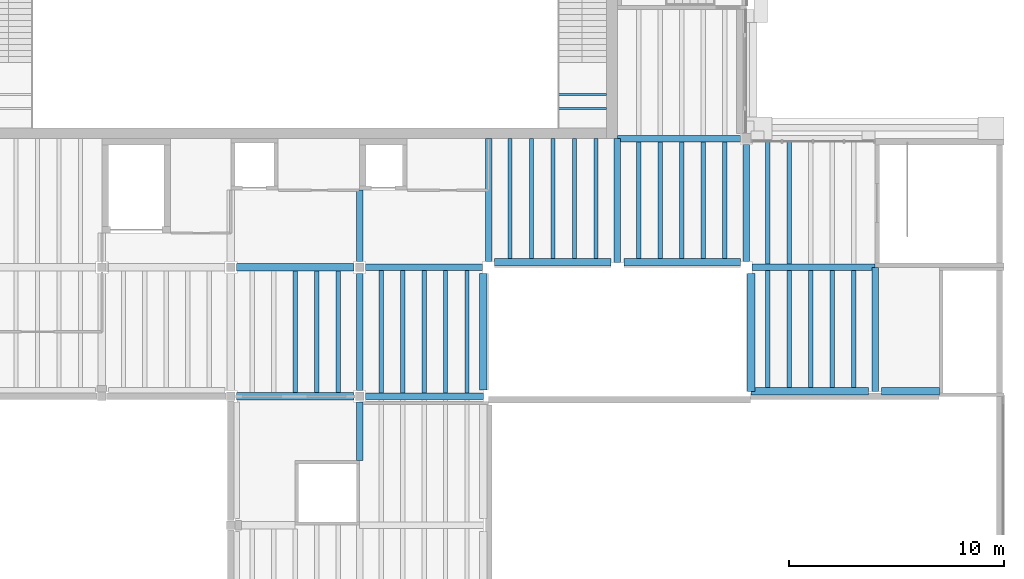
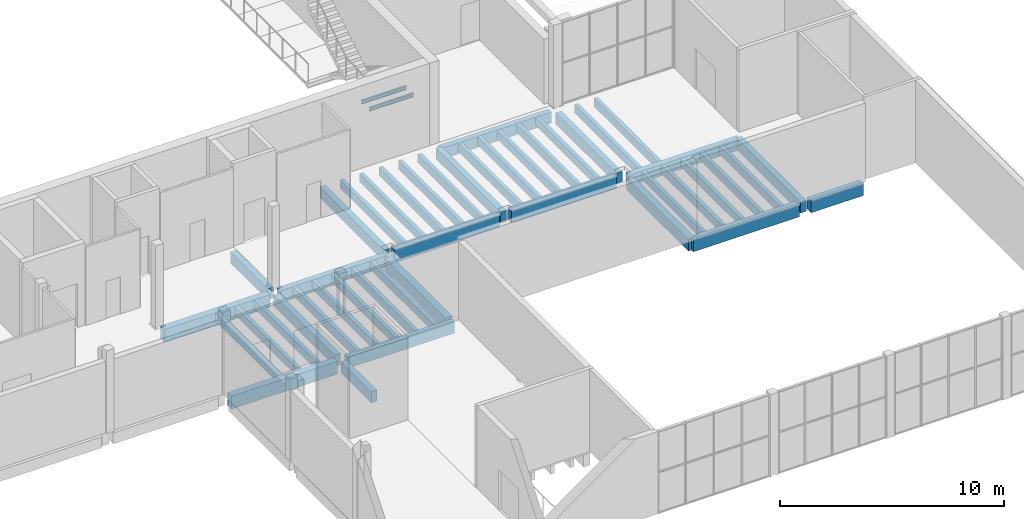
# One storey, part 8 of 70: 46 beams.
"""IFC4 building model written with IfcOpenShell, lengths in metres."""

from ifc_helpers import new_model, si_unit, direction, frame, origin, origin_2d, place, context, subcontext, project, spatial, rectangle, i_section, extrude, material, material_profile, profile_set, type_object, element, save


model = new_model("IFC4")

# Units and contexts
model_context = context("Model", 3, precision=1e-05, world=origin(), true_north=direction((0.0, 1.0)))
body_context = subcontext(model_context, "Body", "Model", "MODEL_VIEW")
ifc_project = project(units=[si_unit("LENGTHUNIT", "METRE"), si_unit("AREAUNIT", "SQUARE_METRE"), si_unit("VOLUMEUNIT", "CUBIC_METRE"), si_unit("PLANEANGLEUNIT", "RADIAN"), si_unit("MASSUNIT", "GRAM", prefix="KILO")], contexts=[model_context])

# Site, building, storey
site_placement = place(None, origin())
site = spatial("IfcSite", under=ifc_project, at=site_placement, CompositionType="ELEMENT")
building_placement = place(site_placement, origin())
building = spatial("IfcBuilding", under=site, at=building_placement, Name="Saffron Lane Theatres", CompositionType="ELEMENT")
storey_placement = place(building_placement, frame((0.0, 0.0, 12.0)))
storey = spatial("IfcBuildingStorey", under=building, at=storey_placement, Name="L02", CompositionType="ELEMENT", Elevation=12.0)

# Beams
ifc_material_1 = material(Name="Concrete N40 (40 MPa)", Category="concrete")
ifc_material_profile_1 = material_profile(ifc_material_1, rectangle(XDim=0.300048828125, YDim=0.60009765625, at=origin_2d()))
ifc_profile_set_1 = profile_set([ifc_material_profile_1], Name="Concrete N40 (40 MPa)")
beam_type_1 = type_object("IfcBeamType", Name="RC-BEAM 300x600", PredefinedType="BEAM", material=ifc_profile_set_1)
beam_1_placement = place(storey_placement, frame((36.27490234375, 18.0, -0.550048828125), z_axis=(1.0, 0.0, 0.0), x_axis=(0.0, 1.0, 0.0)))
element("IfcBeam", 1, at=beam_1_placement, inside=storey, type_object=beam_type_1, Name="beam-L02-x180-363", PredefinedType="BEAM", context=body_context, shape_type="SweptSolid", body=[
    extrude(rectangle(XDim=0.300048828125, YDim=0.60009765625, at=origin_2d()), origin(), (0.0, 0.0, 1.0), 5.5),
])
beam_2_placement = place(storey_placement, frame((36.27490234375, 24.0, -0.550048828125), z_axis=(1.0, 0.0, 0.0), x_axis=(0.0, 1.0, 0.0)))
element("IfcBeam", 2, at=beam_2_placement, inside=storey, type_object=beam_type_1, Name="beam-L02-x240-363", PredefinedType="BEAM", context=body_context, shape_type="SweptSolid", body=[
    extrude(rectangle(XDim=0.300048828125, YDim=0.60009765625, at=origin_2d()), origin(), (0.0, 0.0, 1.0), 5.4501953125),
])
for number, where, z_axis, x_axis, name in (
    (3, (54.27490234375, 24.0, -0.550048828125), (1.0, 0.0, 0.0), (0.0, 1.0, 0.0), "beam-L02-x240-543"),
    (4, (48.0, 30.0, -0.550048828125), (1.0, 0.0, 0.0), (0.0, 1.0, 0.0), "beam-L02-x300-480"),
):
    element("IfcBeam", number, at=place(storey_placement, frame(where, z_axis=z_axis, x_axis=x_axis)), inside=storey, type_object=beam_type_1, Name=name, PredefinedType="BEAM", context=body_context, shape_type="SweptSolid", body=[
        extrude(rectangle(XDim=0.300048828125, YDim=0.60009765625, at=origin_2d()), origin(), (0.0, 0.0, 1.0), 5.72509765625),
    ])
beam_3_placement = place(storey_placement, frame((36.0, 15.0, -0.550048828125), z_axis=(0.0, 1.0, 0.0), x_axis=(-1.0, 0.0, 0.0)))
element("IfcBeam", 5, at=beam_3_placement, inside=storey, type_object=beam_type_1, Name="beam-L02-y360-150", PredefinedType="BEAM", context=body_context, shape_type="SweptSolid", body=[
    extrude(rectangle(XDim=0.300048828125, YDim=0.60009765625, at=origin_2d()), origin(), (0.0, 0.0, 1.0), 2.72509765625),
])
beam_4_placement = place(storey_placement, frame((36.0, 18.27490234375, -0.550048828125), z_axis=(0.0, 1.0, 0.0), x_axis=(-1.0, 0.0, 0.0)))
element("IfcBeam", 6, at=beam_4_placement, inside=storey, type_object=beam_type_1, Name="beam-L02-y360-183", PredefinedType="BEAM", context=body_context, shape_type="SweptSolid", body=[
    extrude(rectangle(XDim=0.300048828125, YDim=0.60009765625, at=origin_2d()), origin(), (0.0, 0.0, 1.0), 5.4501953125),
])
beam_5_placement = place(storey_placement, frame((36.0, 24.27490234375, -0.550048828125), z_axis=(0.0, 1.0, 0.0), x_axis=(-1.0, 0.0, 0.0)))
element("IfcBeam", 7, at=beam_5_placement, inside=storey, type_object=beam_type_1, Name="beam-L02-y360-243", PredefinedType="BEAM", context=body_context, shape_type="SweptSolid", body=[
    extrude(rectangle(XDim=0.300048828125, YDim=0.60009765625, at=origin_2d()), origin(), (0.0, 0.0, 1.0), 3.3251953125),
])
beam_6_placement = place(storey_placement, frame((42.0, 24.27490234375, -0.550048828125), z_axis=(0.0, 1.0, 0.0), x_axis=(-1.0, 0.0, 0.0)))
element("IfcBeam", 8, at=beam_6_placement, inside=storey, type_object=beam_type_1, Name="beam-L02-y420-243", PredefinedType="BEAM", context=body_context, shape_type="SweptSolid", body=[
    extrude(rectangle(XDim=0.300048828125, YDim=0.60009765625, at=origin_2d()), origin(), (0.0, 0.0, 1.0), 5.72509765625),
])
beam_7_placement = place(storey_placement, frame((48.0, 24.22509765625, -0.550048828125), z_axis=(0.0, 1.0, 0.0), x_axis=(-1.0, 0.0, 0.0)))
element("IfcBeam", 9, at=beam_7_placement, inside=storey, type_object=beam_type_1, Name="beam-L02-y480-242", PredefinedType="BEAM", context=body_context, shape_type="SweptSolid", body=[
    extrude(rectangle(XDim=0.300048828125, YDim=0.60009765625, at=origin_2d()), origin(), (0.0, 0.0, 1.0), 5.77490234375),
])
beam_8_placement = place(storey_placement, frame((54.0, 24.27490234375, -0.550048828125), z_axis=(0.0, 1.0, 0.0), x_axis=(-1.0, 0.0, 0.0)))
element("IfcBeam", 10, at=beam_8_placement, inside=storey, type_object=beam_type_1, Name="beam-L02-y540-243", PredefinedType="BEAM", context=body_context, shape_type="SweptSolid", body=[
    extrude(rectangle(XDim=0.300048828125, YDim=0.60009765625, at=origin_2d()), origin(), (0.0, 0.0, 1.0), 5.4501953125),
])
beam_9_placement = place(storey_placement, frame((60.0, 18.22509765625, -0.550048828125), z_axis=(0.0, 1.0, 0.0), x_axis=(-1.0, 0.0, 0.0)))
element("IfcBeam", 11, at=beam_9_placement, inside=storey, type_object=beam_type_1, Name="beam-L02-y600-182", PredefinedType="BEAM", context=body_context, shape_type="SweptSolid", body=[
    extrude(rectangle(XDim=0.300048828125, YDim=0.60009765625, at=origin_2d()), origin(), (0.0, 0.0, 1.0), 5.77490234375),
])
ifc_material_2 = material(Name="Concrete N40 (40 MPa)", Category="concrete")
ifc_material_profile_2 = material_profile(ifc_material_2, rectangle(XDim=0.35009765625, YDim=0.64990234375, at=origin_2d()))
ifc_profile_set_2 = profile_set([ifc_material_profile_2], Name="Concrete N40 (40 MPa)")
beam_type_2 = type_object("IfcBeamType", Name="RC-BEAM 350x650", PredefinedType="BEAM", material=ifc_profile_set_2)
beam_10_placement = place(storey_placement, frame((54.22509765625, 18.235107421875, -0.574951171875), z_axis=(1.0, 0.0, 0.0), x_axis=(0.0, 1.0, 0.0)))
element("IfcBeam", 12, at=beam_10_placement, inside=storey, type_object=beam_type_2, Name="beam-L02-x180-542", PredefinedType="BEAM", context=body_context, shape_type="SweptSolid", body=[
    extrude(rectangle(XDim=0.35009765625, YDim=0.64990234375, at=origin_2d()), origin(), (0.0, 0.0, 1.0), 5.474853515625),
])
beam_11_placement = place(storey_placement, frame((60.300048828125, 18.235107421875, -0.574951171875), z_axis=(1.0, 0.0, 0.0), x_axis=(0.0, 1.0, 0.0)))
element("IfcBeam", 13, at=beam_11_placement, inside=storey, type_object=beam_type_2, Name="beam-L02-x180-603", PredefinedType="BEAM", context=body_context, shape_type="SweptSolid", body=[
    extrude(rectangle(XDim=0.35009765625, YDim=0.64990234375, at=origin_2d()), origin(), (0.0, 0.0, 1.0), 2.699951171875),
])
for number, where, z_axis, x_axis, name in (
    (14, (42.27490234375, 24.235107421875, -0.574951171875), (1.0, 0.0, 0.0), (0.0, 1.0, 0.0), "beam-L02-x240-423"),
    (15, (48.300048828125, 24.235107421875, -0.574951171875), (1.0, 0.0, 0.0), (0.0, 1.0, 0.0), "beam-L02-x240-483"),
    (16, (41.764892578125, 18.300048828125, -0.574951171875), (0.0, 1.0, 0.0), (-1.0, 0.0, 0.0), "beam-L02-y420-183"),
):
    element("IfcBeam", number, at=place(storey_placement, frame(where, z_axis=z_axis, x_axis=x_axis)), inside=storey, type_object=beam_type_2, Name=name, PredefinedType="BEAM", context=body_context, shape_type="SweptSolid", body=[
        extrude(rectangle(XDim=0.35009765625, YDim=0.64990234375, at=origin_2d()), origin(), (0.0, 0.0, 1.0), 5.425048828125),
    ])
beam_12_placement = place(storey_placement, frame((54.235107421875, 18.22509765625, -0.574951171875), z_axis=(0.0, 1.0, 0.0), x_axis=(-1.0, 0.0, 0.0)))
element("IfcBeam", 17, at=beam_12_placement, inside=storey, type_object=beam_type_2, Name="beam-L02-y540-182", PredefinedType="BEAM", context=body_context, shape_type="SweptSolid", body=[
    extrude(rectangle(XDim=0.35009765625, YDim=0.64990234375, at=origin_2d()), origin(), (0.0, 0.0, 1.0), 5.5),
])
ifc_material_3 = material(Name="Concrete N40 (40 MPa)", Category="concrete")
ifc_material_profile_3 = material_profile(ifc_material_3, rectangle(XDim=0.35009765625, YDim=0.699951171875, at=origin_2d()))
ifc_profile_set_3 = profile_set([ifc_material_profile_3], Name="Concrete N40 (40 MPa)")
beam_type_3 = type_object("IfcBeamType", Name="RC-BEAM 350x700", PredefinedType="BEAM", material=ifc_profile_set_3)
for number, where, z_axis, x_axis, name in (
    (18, (30.27490234375, 18.0, -0.60009765625), (1.0, 0.0, 0.0), (0.0, 1.0, 0.0), "beam-L02-x180-303"),
    (19, (30.27490234375, 24.0, -0.60009765625), (1.0, 0.0, 0.0), (0.0, 1.0, 0.0), "beam-L02-x240-303"),
):
    element("IfcBeam", number, at=place(storey_placement, frame(where, z_axis=z_axis, x_axis=x_axis)), inside=storey, type_object=beam_type_3, Name=name, PredefinedType="BEAM", context=body_context, shape_type="SweptSolid", body=[
        extrude(rectangle(XDim=0.35009765625, YDim=0.699951171875, at=origin_2d()), origin(), (0.0, 0.0, 1.0), 5.4501953125),
    ])
ifc_material_4 = material(Name="Concrete N40 (40 MPa)", Category="concrete")
ifc_material_profile_4 = material_profile(ifc_material_4, rectangle(XDim=0.199951171875, YDim=0.449951171875, at=origin_2d()))
ifc_profile_set_4 = profile_set([ifc_material_profile_4], Name="Concrete N40 (40 MPa)")
beam_type_4 = type_object("IfcBeamType", Name="RC-JOIST 200x450", PredefinedType="JOIST", material=ifc_profile_set_4)
for number, where, z_axis, x_axis, name in (
    (20, (33.0, 18.175048828125, -0.47509765625), (0.0, 1.0, 0.0), (-1.0, 0.0, 0.0), "joist-L02-y3300-182"),
    (21, (34.0, 18.175048828125, -0.47509765625), (0.0, 1.0, 0.0), (-1.0, 0.0, 0.0), "joist-L02-y3400-182"),
    (22, (35.0, 18.175048828125, -0.47509765625), (0.0, 1.0, 0.0), (-1.0, 0.0, 0.0), "joist-L02-y3500-182"),
):
    element("IfcBeam", number, at=place(storey_placement, frame(where, z_axis=z_axis, x_axis=x_axis)), inside=storey, type_object=beam_type_4, Name=name, PredefinedType="JOIST", context=body_context, shape_type="SweptSolid", body=[
        extrude(rectangle(XDim=0.199951171875, YDim=0.449951171875, at=origin_2d()), origin(), (0.0, 0.0, 1.0), 5.64990234375),
    ])
for number, where, z_axis, x_axis, name in (
    (23, (37.0, 18.14990234375, -0.47509765625), (0.0, 1.0, 0.0), (-1.0, 0.0, 0.0), "joist-L02-y3700-182"),
    (24, (38.0, 18.14990234375, -0.47509765625), (0.0, 1.0, 0.0), (-1.0, 0.0, 0.0), "joist-L02-y3800-182"),
    (25, (39.0, 18.14990234375, -0.47509765625), (0.0, 1.0, 0.0), (-1.0, 0.0, 0.0), "joist-L02-y3900-182"),
    (26, (40.0, 18.14990234375, -0.47509765625), (0.0, 1.0, 0.0), (-1.0, 0.0, 0.0), "joist-L02-y4000-182"),
    (27, (41.0, 18.14990234375, -0.47509765625), (0.0, 1.0, 0.0), (-1.0, 0.0, 0.0), "joist-L02-y4100-182"),
):
    element("IfcBeam", number, at=place(storey_placement, frame(where, z_axis=z_axis, x_axis=x_axis)), inside=storey, type_object=beam_type_4, Name=name, PredefinedType="JOIST", context=body_context, shape_type="SweptSolid", body=[
        extrude(rectangle(XDim=0.199951171875, YDim=0.449951171875, at=origin_2d()), origin(), (0.0, 0.0, 1.0), 5.7001953125),
    ])
for number, where, z_axis, x_axis, name in (
    (28, (43.0, 24.409912109375, -0.47509765625), (0.0, 1.0, 0.0), (-1.0, 0.0, 0.0), "joist-L02-y4300-244"),
    (29, (44.0, 24.409912109375, -0.47509765625), (0.0, 1.0, 0.0), (-1.0, 0.0, 0.0), "joist-L02-y4400-244"),
    (30, (45.0, 24.409912109375, -0.47509765625), (0.0, 1.0, 0.0), (-1.0, 0.0, 0.0), "joist-L02-y4500-244"),
    (31, (46.0, 24.409912109375, -0.47509765625), (0.0, 1.0, 0.0), (-1.0, 0.0, 0.0), "joist-L02-y4600-244"),
    (32, (47.0, 24.409912109375, -0.47509765625), (0.0, 1.0, 0.0), (-1.0, 0.0, 0.0), "joist-L02-y4700-244"),
):
    element("IfcBeam", number, at=place(storey_placement, frame(where, z_axis=z_axis, x_axis=x_axis)), inside=storey, type_object=beam_type_4, Name=name, PredefinedType="JOIST", context=body_context, shape_type="SweptSolid", body=[
        extrude(rectangle(XDim=0.199951171875, YDim=0.449951171875, at=origin_2d()), origin(), (0.0, 0.0, 1.0), 5.590087890625),
    ])
for number, where, z_axis, x_axis, name in (
    (33, (49.0, 24.409912109375, -0.47509765625), (0.0, 1.0, 0.0), (-1.0, 0.0, 0.0), "joist-L02-y4900-244"),
    (34, (50.0, 24.409912109375, -0.47509765625), (0.0, 1.0, 0.0), (-1.0, 0.0, 0.0), "joist-L02-y5000-244"),
    (35, (51.0, 24.409912109375, -0.47509765625), (0.0, 1.0, 0.0), (-1.0, 0.0, 0.0), "joist-L02-y5100-244"),
    (36, (52.0, 24.409912109375, -0.47509765625), (0.0, 1.0, 0.0), (-1.0, 0.0, 0.0), "joist-L02-y5200-244"),
    (37, (53.0, 24.409912109375, -0.47509765625), (0.0, 1.0, 0.0), (-1.0, 0.0, 0.0), "joist-L02-y5300-244"),
    (38, (55.0, 18.409912109375, -0.47509765625), (0.0, 1.0, 0.0), (-1.0, 0.0, 0.0), "joist-L02-y5500-184"),
    (39, (56.0, 18.409912109375, -0.47509765625), (0.0, 1.0, 0.0), (-1.0, 0.0, 0.0), "joist-L02-y5600-184"),
    (40, (57.0, 18.409912109375, -0.47509765625), (0.0, 1.0, 0.0), (-1.0, 0.0, 0.0), "joist-L02-y5700-184"),
    (41, (58.0, 18.409912109375, -0.47509765625), (0.0, 1.0, 0.0), (-1.0, 0.0, 0.0), "joist-L02-y5800-184"),
    (42, (59.0, 18.409912109375, -0.47509765625), (0.0, 1.0, 0.0), (-1.0, 0.0, 0.0), "joist-L02-y5900-184"),
):
    element("IfcBeam", number, at=place(storey_placement, frame(where, z_axis=z_axis, x_axis=x_axis)), inside=storey, type_object=beam_type_4, Name=name, PredefinedType="JOIST", context=body_context, shape_type="SweptSolid", body=[
        extrude(rectangle(XDim=0.199951171875, YDim=0.449951171875, at=origin_2d()), origin(), (0.0, 0.0, 1.0), 5.440185546875),
    ])
for number, where, z_axis, x_axis, name in (
    (43, (55.0, 24.14990234375, -0.47509765625), (0.0, 1.0, 0.0), (-1.0, 0.0, 0.0), "joist-L02-y5500-242"),
    (44, (56.0, 24.14990234375, -0.47509765625), (0.0, 1.0, 0.0), (-1.0, 0.0, 0.0), "joist-L02-y5600-242"),
):
    element("IfcBeam", number, at=place(storey_placement, frame(where, z_axis=z_axis, x_axis=x_axis)), inside=storey, type_object=beam_type_4, Name=name, PredefinedType="JOIST", context=body_context, shape_type="SweptSolid", body=[
        extrude(rectangle(XDim=0.199951171875, YDim=0.449951171875, at=origin_2d()), origin(), (0.0, 0.0, 1.0), 5.7001953125),
    ])
ifc_material_5 = material(Name="Steel Grade 350", Category="steel")
ifc_material_profile_5 = material_profile(ifc_material_5, i_section(OverallWidth=0.09912109375, OverallDepth=0.197998046875, WebThickness=0.00439453125, FlangeThickness=0.007080078125, FilletRadius=0.010986328125, at=origin_2d()))
ifc_profile_set_5 = profile_set([ifc_material_profile_5], Name="Steel Grade 350")
beam_type_5 = type_object("IfcBeamType", Name="ST-GALLERY BEAM 200UB18.2", PredefinedType="BEAM", material=ifc_profile_set_5)
for number, where, z_axis, x_axis, name in (
    (45, (45.199951171875, 31.39990234375, 1.950927734375), (1.0, 0.0, 0.0), (0.0, 1.0, 0.0), "FLE14.25-1"),
    (46, (45.199951171875, 32.050048828125, 1.950927734375), (1.0, 0.0, 0.0), (0.0, 1.0, 0.0), "FLE14.25-2"),
):
    element("IfcBeam", number, at=place(storey_placement, frame(where, z_axis=z_axis, x_axis=x_axis)), inside=storey, type_object=beam_type_5, Name=name, PredefinedType="BEAM", context=body_context, shape_type="SweptSolid", body=[
        extrude(i_section(OverallWidth=0.09912109375, OverallDepth=0.197998046875, WebThickness=0.00439453125, FlangeThickness=0.007080078125, FilletRadius=0.010986328125, at=origin_2d()), origin(), (0.0, 0.0, 1.0), 2.300048828125),
    ])

save(model, "model.ifc")
